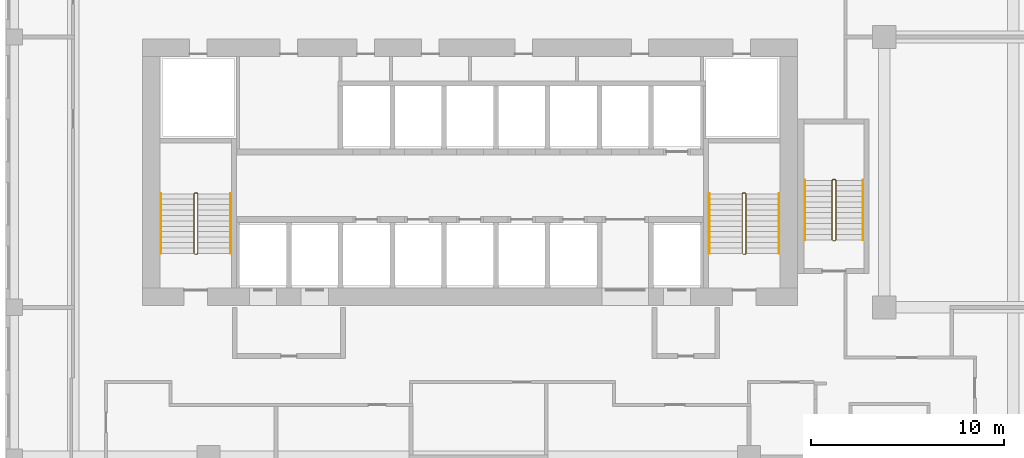
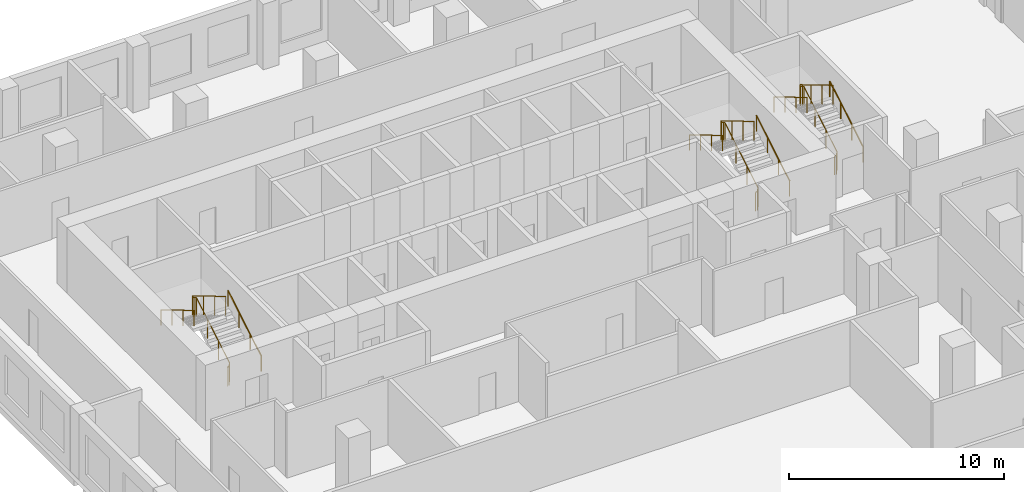
# One storey, part 26 of 27: 9 railings.
"""IFC4 building model written with IfcOpenShell, lengths in metres."""

from ifc_helpers import new_model, si_unit, direction, frame, origin, origin_2d, place, context, subcontext, project, spatial, circle, extrude, material, type_object, element, save


model = new_model("IFC4")

# Units and contexts
model_context = context("Model", 3, precision=1e-05, world=origin(), true_north=direction((0.0, 1.0)))
body_context = subcontext(model_context, "Body", "Model", "MODEL_VIEW")
ifc_project = project(units=[si_unit("LENGTHUNIT", "METRE"), si_unit("AREAUNIT", "SQUARE_METRE"), si_unit("VOLUMEUNIT", "CUBIC_METRE"), si_unit("PLANEANGLEUNIT", "RADIAN"), si_unit("MASSUNIT", "GRAM", prefix="KILO")], contexts=[model_context])

# Site, building, storey
site_placement = place(None, origin())
site = spatial("IfcSite", under=ifc_project, at=site_placement, CompositionType="ELEMENT")
building_placement = place(site_placement, origin())
building = spatial("IfcBuilding", under=site, at=building_placement, Name="Kilnfold Tower and Market Hall", CompositionType="ELEMENT")
storey_placement = place(building_placement, frame((0.0, 0.0, 116.60009765625)))
storey = spatial("IfcBuildingStorey", under=building, at=storey_placement, Name="L27", CompositionType="ELEMENT", Elevation=116.60009765625)

# Railings
ifc_material_1 = material(Name="Stainless steel 316", Category="steel")
railing_type_1 = type_object("IfcRailingType", Name="CORE STAIR GUARD 1100", PredefinedType="GUARDRAIL", material=ifc_material_1)
railing_1_placement = place(storey_placement, frame((-13.199951171875, 10.75, 0.0)))
element("IfcRailing", 1, at=railing_1_placement, inside=storey, type_object=railing_type_1, Name="L27 ST1 stair guard 1", PredefinedType="GUARDRAIL", context=body_context, shape_type="SweptSolid", body=[
    extrude(circle(Radius=0.02392578125, at=origin_2d()), frame((0.0, 0.0, 1.076171875), z_axis=(1.0, 0.0, 0.0), x_axis=(0.0, 1.0, 0.0)), (0.0, 0.0, 1.0), 0.099853515625),
    extrude(circle(Radius=0.02392578125, at=origin_2d()), frame((0.099853515625, 0.0, 1.076171875), z_axis=(0.27662974545, 0.27662974545, 0.920299933644), x_axis=(-0.707106781187, 0.707106781187, 0.0)), (0.0, 0.0, 1.0), 0.180908203125),
    extrude(circle(Radius=0.02392578125, at=origin_2d()), frame((0.14990234375, 0.050048828125, 1.24267578125), z_axis=(0.0, 0.859260807169, 0.511537745687), x_axis=(-1.0, 0.0, 0.0)), (0.0, 0.0, 1.0), 3.584228515625),
    extrude(circle(Radius=0.02392578125, at=origin_2d()), frame((0.14990234375, 3.1298828125, 3.076171875), z_axis=(-0.707106781187, 0.707106781187, 0.0), x_axis=(-0.707106781187, -0.707106781187, 0.0)), (0.0, 0.0, 1.0), 0.07080078125),
    extrude(circle(Radius=0.02392578125, at=origin_2d()), frame((0.099853515625, 3.179931640625, 3.076171875), z_axis=(-1.0, 0.0, 0.0), x_axis=(0.0, -1.0, 0.0)), (0.0, 0.0, 1.0), 0.099853515625),
    extrude(circle(Radius=0.02392578125, at=origin_2d()), frame((0.0, 3.179931640625, 3.076171875), z_axis=(-0.27662974545, -0.27662974545, 0.920299933644), x_axis=(0.707106781187, -0.707106781187, 0.0)), (0.0, 0.0, 1.0), 0.180908203125),
    extrude(circle(Radius=0.02392578125, at=origin_2d()), frame((-0.050048828125, 3.1298828125, 3.24267578125), z_axis=(0.0, -0.859260807169, 0.511537745687), x_axis=(1.0, 0.0, 0.0)), (0.0, 0.0, 1.0), 3.584228515625),
    extrude(circle(Radius=0.02099609375, at=origin_2d()), origin(), (0.0, 0.0, 1.0), 1.052001953125),
    extrude(circle(Radius=0.02099609375, at=origin_2d()), frame((0.099853515625, 0.0, 0.0)), (0.0, 0.0, 1.0), 1.052001953125),
    extrude(circle(Radius=0.02099609375, at=origin_2d()), frame((0.14990234375, 0.050048828125, 0.16650390625)), (0.0, 0.0, 1.0), 1.052001953125),
    extrude(circle(Radius=0.02099609375, at=origin_2d()), frame((0.14990234375, 1.07666015625, 0.777587890625)), (0.0, 0.0, 1.0), 1.052001953125),
    extrude(circle(Radius=0.02099609375, at=origin_2d()), frame((0.14990234375, 2.103271484375, 1.388916015625)), (0.0, 0.0, 1.0), 1.052001953125),
    extrude(circle(Radius=0.02099609375, at=origin_2d()), frame((0.14990234375, 3.1298828125, 2.0)), (0.0, 0.0, 1.0), 1.052001953125),
    extrude(circle(Radius=0.02099609375, at=origin_2d()), frame((0.099853515625, 3.179931640625, 2.0)), (0.0, 0.0, 1.0), 1.052001953125),
    extrude(circle(Radius=0.02099609375, at=origin_2d()), frame((0.0, 3.179931640625, 2.0)), (0.0, 0.0, 1.0), 1.052001953125),
    extrude(circle(Radius=0.02099609375, at=origin_2d()), frame((-0.050048828125, 3.1298828125, 2.16650390625)), (0.0, 0.0, 1.0), 1.052001953125),
    extrude(circle(Radius=0.02099609375, at=origin_2d()), frame((-0.050048828125, 2.103271484375, 2.777587890625)), (0.0, 0.0, 1.0), 1.052001953125),
    extrude(circle(Radius=0.02099609375, at=origin_2d()), frame((-0.050048828125, 1.07666015625, 3.388916015625)), (0.0, 0.0, 1.0), 1.052001953125),
    extrude(circle(Radius=0.02099609375, at=origin_2d()), frame((-0.050048828125, 0.050048828125, 4.0)), (0.0, 0.0, 1.0), 1.052001953125),
])
railing_2_placement = place(storey_placement, frame((15.199951171875, 10.75, 0.0)))
element("IfcRailing", 2, at=railing_2_placement, inside=storey, type_object=railing_type_1, Name="L27 ST2 stair guard 1", PredefinedType="GUARDRAIL", context=body_context, shape_type="SweptSolid", body=[
    extrude(circle(Radius=0.02392578125, at=origin_2d()), frame((0.0, 0.0, 1.076171875), z_axis=(1.0, 0.0, 0.0), x_axis=(0.0, 1.0, 0.0)), (0.0, 0.0, 1.0), 0.10009765625),
    extrude(circle(Radius=0.02392578125, at=origin_2d()), frame((0.10009765625, 0.0, 1.076171875), z_axis=(0.27662974545, 0.27662974545, 0.920299933644), x_axis=(-0.707106781187, 0.707106781187, 0.0)), (0.0, 0.0, 1.0), 0.180908203125),
    extrude(circle(Radius=0.02392578125, at=origin_2d()), frame((0.150146484375, 0.050048828125, 1.24267578125), z_axis=(0.0, 0.859260807169, 0.511537745687), x_axis=(-1.0, 0.0, 0.0)), (0.0, 0.0, 1.0), 3.584228515625),
    extrude(circle(Radius=0.02392578125, at=origin_2d()), frame((0.150146484375, 3.1298828125, 3.076171875), z_axis=(-0.707106781187, 0.707106781187, 0.0), x_axis=(-0.707106781187, -0.707106781187, 0.0)), (0.0, 0.0, 1.0), 0.07080078125),
    extrude(circle(Radius=0.02392578125, at=origin_2d()), frame((0.10009765625, 3.179931640625, 3.076171875), z_axis=(-1.0, 0.0, 0.0), x_axis=(0.0, -1.0, 0.0)), (0.0, 0.0, 1.0), 0.10009765625),
    extrude(circle(Radius=0.02392578125, at=origin_2d()), frame((0.0, 3.179931640625, 3.076171875), z_axis=(-0.27662974545, -0.27662974545, 0.920299933644), x_axis=(0.707106781187, -0.707106781187, 0.0)), (0.0, 0.0, 1.0), 0.180908203125),
    extrude(circle(Radius=0.02392578125, at=origin_2d()), frame((-0.050048828125, 3.1298828125, 3.24267578125), z_axis=(0.0, -0.859260807169, 0.511537745687), x_axis=(1.0, 0.0, 0.0)), (0.0, 0.0, 1.0), 3.584228515625),
    extrude(circle(Radius=0.02099609375, at=origin_2d()), origin(), (0.0, 0.0, 1.0), 1.052001953125),
    extrude(circle(Radius=0.02099609375, at=origin_2d()), frame((0.10009765625, 0.0, 0.0)), (0.0, 0.0, 1.0), 1.052001953125),
    extrude(circle(Radius=0.02099609375, at=origin_2d()), frame((0.150146484375, 0.050048828125, 0.16650390625)), (0.0, 0.0, 1.0), 1.052001953125),
    extrude(circle(Radius=0.02099609375, at=origin_2d()), frame((0.150146484375, 1.07666015625, 0.777587890625)), (0.0, 0.0, 1.0), 1.052001953125),
    extrude(circle(Radius=0.02099609375, at=origin_2d()), frame((0.150146484375, 2.103271484375, 1.388916015625)), (0.0, 0.0, 1.0), 1.052001953125),
    extrude(circle(Radius=0.02099609375, at=origin_2d()), frame((0.150146484375, 3.1298828125, 2.0)), (0.0, 0.0, 1.0), 1.052001953125),
    extrude(circle(Radius=0.02099609375, at=origin_2d()), frame((0.10009765625, 3.179931640625, 2.0)), (0.0, 0.0, 1.0), 1.052001953125),
    extrude(circle(Radius=0.02099609375, at=origin_2d()), frame((0.0, 3.179931640625, 2.0)), (0.0, 0.0, 1.0), 1.052001953125),
    extrude(circle(Radius=0.02099609375, at=origin_2d()), frame((-0.050048828125, 3.1298828125, 2.16650390625)), (0.0, 0.0, 1.0), 1.052001953125),
    extrude(circle(Radius=0.02099609375, at=origin_2d()), frame((-0.050048828125, 2.103271484375, 2.777587890625)), (0.0, 0.0, 1.0), 1.052001953125),
    extrude(circle(Radius=0.02099609375, at=origin_2d()), frame((-0.050048828125, 1.07666015625, 3.388916015625)), (0.0, 0.0, 1.0), 1.052001953125),
    extrude(circle(Radius=0.02099609375, at=origin_2d()), frame((-0.050048828125, 0.050048828125, 4.0)), (0.0, 0.0, 1.0), 1.052001953125),
])
railing_3_placement = place(storey_placement, frame((19.85009765625, 11.449951171875, 0.0)))
element("IfcRailing", 3, at=railing_3_placement, inside=storey, type_object=railing_type_1, Name="L27 ST5 stair guard 1", PredefinedType="GUARDRAIL", context=body_context, shape_type="SweptSolid", body=[
    extrude(circle(Radius=0.02392578125, at=origin_2d()), frame((0.0, 0.0, 1.076171875), z_axis=(1.0, 0.0, 0.0), x_axis=(0.0, 1.0, 0.0)), (0.0, 0.0, 1.0), 0.099853515625),
    extrude(circle(Radius=0.02392578125, at=origin_2d()), frame((0.099853515625, 0.0, 1.076171875), z_axis=(0.27662974545, 0.27662974545, 0.920299933644), x_axis=(-0.707106781187, 0.707106781187, 0.0)), (0.0, 0.0, 1.0), 0.180908203125),
    extrude(circle(Radius=0.02392578125, at=origin_2d()), frame((0.14990234375, 0.050048828125, 1.24267578125), z_axis=(0.0, 0.85927862911, 0.511507807912), x_axis=(-1.0, 0.0, 0.0)), (0.0, 0.0, 1.0), 3.58447265625),
    extrude(circle(Radius=0.02392578125, at=origin_2d()), frame((0.14990234375, 3.130126953125, 3.076171875), z_axis=(-0.708833529934, 0.705375805398, 0.0), x_axis=(-0.705375805398, -0.708833529934, 0.0)), (0.0, 0.0, 1.0), 0.070556640625),
    extrude(circle(Radius=0.02392578125, at=origin_2d()), frame((0.099853515625, 3.179931640625, 3.076171875), z_axis=(-1.0, 0.0, 0.0), x_axis=(0.0, -1.0, 0.0)), (0.0, 0.0, 1.0), 0.099853515625),
    extrude(circle(Radius=0.02392578125, at=origin_2d()), frame((0.0, 3.179931640625, 3.076171875), z_axis=(-0.276732813696, -0.275382897532, 0.920642824102), x_axis=(0.705375805398, -0.708833529934, 0.0)), (0.0, 0.0, 1.0), 0.180908203125),
    extrude(circle(Radius=0.02392578125, at=origin_2d()), frame((-0.050048828125, 3.130126953125, 3.24267578125), z_axis=(0.0, -0.85927862911, 0.511507807912), x_axis=(1.0, 0.0, 0.0)), (0.0, 0.0, 1.0), 3.58447265625),
    extrude(circle(Radius=0.02099609375, at=origin_2d()), origin(), (0.0, 0.0, 1.0), 1.052001953125),
    extrude(circle(Radius=0.02099609375, at=origin_2d()), frame((0.099853515625, 0.0, 0.0)), (0.0, 0.0, 1.0), 1.052001953125),
    extrude(circle(Radius=0.02099609375, at=origin_2d()), frame((0.14990234375, 0.050048828125, 0.16650390625)), (0.0, 0.0, 1.0), 1.052001953125),
    extrude(circle(Radius=0.02099609375, at=origin_2d()), frame((0.14990234375, 1.07666015625, 0.777587890625)), (0.0, 0.0, 1.0), 1.052001953125),
    extrude(circle(Radius=0.02099609375, at=origin_2d()), frame((0.14990234375, 2.103515625, 1.388916015625)), (0.0, 0.0, 1.0), 1.052001953125),
    extrude(circle(Radius=0.02099609375, at=origin_2d()), frame((0.14990234375, 3.130126953125, 2.0)), (0.0, 0.0, 1.0), 1.052001953125),
    extrude(circle(Radius=0.02099609375, at=origin_2d()), frame((0.099853515625, 3.179931640625, 2.0)), (0.0, 0.0, 1.0), 1.052001953125),
    extrude(circle(Radius=0.02099609375, at=origin_2d()), frame((0.0, 3.179931640625, 2.0)), (0.0, 0.0, 1.0), 1.052001953125),
    extrude(circle(Radius=0.02099609375, at=origin_2d()), frame((-0.050048828125, 3.130126953125, 2.16650390625)), (0.0, 0.0, 1.0), 1.052001953125),
    extrude(circle(Radius=0.02099609375, at=origin_2d()), frame((-0.050048828125, 2.103515625, 2.777587890625)), (0.0, 0.0, 1.0), 1.052001953125),
    extrude(circle(Radius=0.02099609375, at=origin_2d()), frame((-0.050048828125, 1.07666015625, 3.388916015625)), (0.0, 0.0, 1.0), 1.052001953125),
    extrude(circle(Radius=0.02099609375, at=origin_2d()), frame((-0.050048828125, 0.050048828125, 4.0)), (0.0, 0.0, 1.0), 1.052001953125),
])
ifc_material_2 = material(Name="Stainless steel 316", Category="steel")
railing_type_2 = type_object("IfcRailingType", Name="CORE STAIR HANDRAIL 900", PredefinedType="HANDRAIL", material=ifc_material_2)
railing_4_placement = place(storey_placement, frame((-11.35009765625, 10.800048828125, 0.16650390625)))
element("IfcRailing", 4, at=railing_4_placement, inside=storey, type_object=railing_type_2, Name="L27 ST1 stair handrail 1", PredefinedType="HANDRAIL", context=body_context, shape_type="SweptSolid", body=[
    extrude(circle(Radius=0.02392578125, at=origin_2d()), frame((0.0, 0.0, 0.8759765625), z_axis=(0.0, 0.859260807169, 0.511537745687), x_axis=(-1.0, 0.0, 0.0)), (0.0, 0.0, 1.0), 3.584228515625),
    extrude(circle(Radius=0.02099609375, at=origin_2d()), origin(), (0.0, 0.0, 1.0), 0.851806640625),
    extrude(circle(Radius=0.02099609375, at=origin_2d()), frame((0.0, 1.026611328125, 0.611083984375)), (0.0, 0.0, 1.0), 0.851806640625),
    extrude(circle(Radius=0.02099609375, at=origin_2d()), frame((0.0, 2.05322265625, 1.222412109375)), (0.0, 0.0, 1.0), 0.851806640625),
    extrude(circle(Radius=0.02099609375, at=origin_2d()), frame((0.0, 3.079833984375, 1.83349609375)), (0.0, 0.0, 1.0), 0.851806640625),
])
railing_5_placement = place(storey_placement, frame((-14.949951171875, 13.8798828125, 2.16650390625)))
element("IfcRailing", 5, at=railing_5_placement, inside=storey, type_object=railing_type_2, Name="L27 ST1 stair handrail 2", PredefinedType="HANDRAIL", context=body_context, shape_type="SweptSolid", body=[
    extrude(circle(Radius=0.02392578125, at=origin_2d()), frame((0.0, 0.0, 0.8759765625), z_axis=(0.0, -0.859260807169, 0.511537745687), x_axis=(1.0, 0.0, 0.0)), (0.0, 0.0, 1.0), 3.584228515625),
    extrude(circle(Radius=0.02099609375, at=origin_2d()), origin(), (0.0, 0.0, 1.0), 0.851806640625),
    extrude(circle(Radius=0.02099609375, at=origin_2d()), frame((0.0, -1.026611328125, 0.611083984375)), (0.0, 0.0, 1.0), 0.851806640625),
    extrude(circle(Radius=0.02099609375, at=origin_2d()), frame((0.0, -2.05322265625, 1.222412109375)), (0.0, 0.0, 1.0), 0.851806640625),
    extrude(circle(Radius=0.02099609375, at=origin_2d()), frame((0.0, -3.079833984375, 1.83349609375)), (0.0, 0.0, 1.0), 0.851806640625),
])
railing_6_placement = place(storey_placement, frame((17.050048828125, 10.800048828125, 0.16650390625)))
element("IfcRailing", 6, at=railing_6_placement, inside=storey, type_object=railing_type_2, Name="L27 ST2 stair handrail 1", PredefinedType="HANDRAIL", context=body_context, shape_type="SweptSolid", body=[
    extrude(circle(Radius=0.02392578125, at=origin_2d()), frame((0.0, 0.0, 0.8759765625), z_axis=(0.0, 0.859260807169, 0.511537745687), x_axis=(-1.0, 0.0, 0.0)), (0.0, 0.0, 1.0), 3.584228515625),
    extrude(circle(Radius=0.02099609375, at=origin_2d()), origin(), (0.0, 0.0, 1.0), 0.851806640625),
    extrude(circle(Radius=0.02099609375, at=origin_2d()), frame((0.0, 1.026611328125, 0.611083984375)), (0.0, 0.0, 1.0), 0.851806640625),
    extrude(circle(Radius=0.02099609375, at=origin_2d()), frame((0.0, 2.05322265625, 1.222412109375)), (0.0, 0.0, 1.0), 0.851806640625),
    extrude(circle(Radius=0.02099609375, at=origin_2d()), frame((0.0, 3.079833984375, 1.83349609375)), (0.0, 0.0, 1.0), 0.851806640625),
])
railing_7_placement = place(storey_placement, frame((13.449951171875, 13.8798828125, 2.16650390625)))
element("IfcRailing", 7, at=railing_7_placement, inside=storey, type_object=railing_type_2, Name="L27 ST2 stair handrail 2", PredefinedType="HANDRAIL", context=body_context, shape_type="SweptSolid", body=[
    extrude(circle(Radius=0.02392578125, at=origin_2d()), frame((0.0, 0.0, 0.8759765625), z_axis=(0.0, -0.859260807169, 0.511537745687), x_axis=(1.0, 0.0, 0.0)), (0.0, 0.0, 1.0), 3.584228515625),
    extrude(circle(Radius=0.02099609375, at=origin_2d()), origin(), (0.0, 0.0, 1.0), 0.851806640625),
    extrude(circle(Radius=0.02099609375, at=origin_2d()), frame((0.0, -1.026611328125, 0.611083984375)), (0.0, 0.0, 1.0), 0.851806640625),
    extrude(circle(Radius=0.02099609375, at=origin_2d()), frame((0.0, -2.05322265625, 1.222412109375)), (0.0, 0.0, 1.0), 0.851806640625),
    extrude(circle(Radius=0.02099609375, at=origin_2d()), frame((0.0, -3.079833984375, 1.83349609375)), (0.0, 0.0, 1.0), 0.851806640625),
])
railing_8_placement = place(storey_placement, frame((21.39990234375, 11.5, 0.16650390625)))
element("IfcRailing", 8, at=railing_8_placement, inside=storey, type_object=railing_type_2, Name="L27 ST5 stair handrail 1", PredefinedType="HANDRAIL", context=body_context, shape_type="SweptSolid", body=[
    extrude(circle(Radius=0.02392578125, at=origin_2d()), frame((0.0, 0.0, 0.8759765625), z_axis=(0.0, 0.85927862911, 0.511507807912), x_axis=(-1.0, 0.0, 0.0)), (0.0, 0.0, 1.0), 3.58447265625),
    extrude(circle(Radius=0.02099609375, at=origin_2d()), origin(), (0.0, 0.0, 1.0), 0.851806640625),
    extrude(circle(Radius=0.02099609375, at=origin_2d()), frame((0.0, 1.026611328125, 0.611083984375)), (0.0, 0.0, 1.0), 0.851806640625),
    extrude(circle(Radius=0.02099609375, at=origin_2d()), frame((0.0, 2.053466796875, 1.222412109375)), (0.0, 0.0, 1.0), 0.851806640625),
    extrude(circle(Radius=0.02099609375, at=origin_2d()), frame((0.0, 3.080078125, 1.83349609375)), (0.0, 0.0, 1.0), 0.851806640625),
])
railing_9_placement = place(storey_placement, frame((18.39990234375, 14.580078125, 2.16650390625)))
element("IfcRailing", 9, at=railing_9_placement, inside=storey, type_object=railing_type_2, Name="L27 ST5 stair handrail 2", PredefinedType="HANDRAIL", context=body_context, shape_type="SweptSolid", body=[
    extrude(circle(Radius=0.02392578125, at=origin_2d()), frame((0.0, 0.0, 0.8759765625), z_axis=(0.0, -0.85927862911, 0.511507807912), x_axis=(1.0, 0.0, 0.0)), (0.0, 0.0, 1.0), 3.58447265625),
    extrude(circle(Radius=0.02099609375, at=origin_2d()), origin(), (0.0, 0.0, 1.0), 0.851806640625),
    extrude(circle(Radius=0.02099609375, at=origin_2d()), frame((0.0, -1.026611328125, 0.611083984375)), (0.0, 0.0, 1.0), 0.851806640625),
    extrude(circle(Radius=0.02099609375, at=origin_2d()), frame((0.0, -2.053466796875, 1.222412109375)), (0.0, 0.0, 1.0), 0.851806640625),
    extrude(circle(Radius=0.02099609375, at=origin_2d()), frame((0.0, -3.080078125, 1.83349609375)), (0.0, 0.0, 1.0), 0.851806640625),
])

save(model, "model.ifc")
